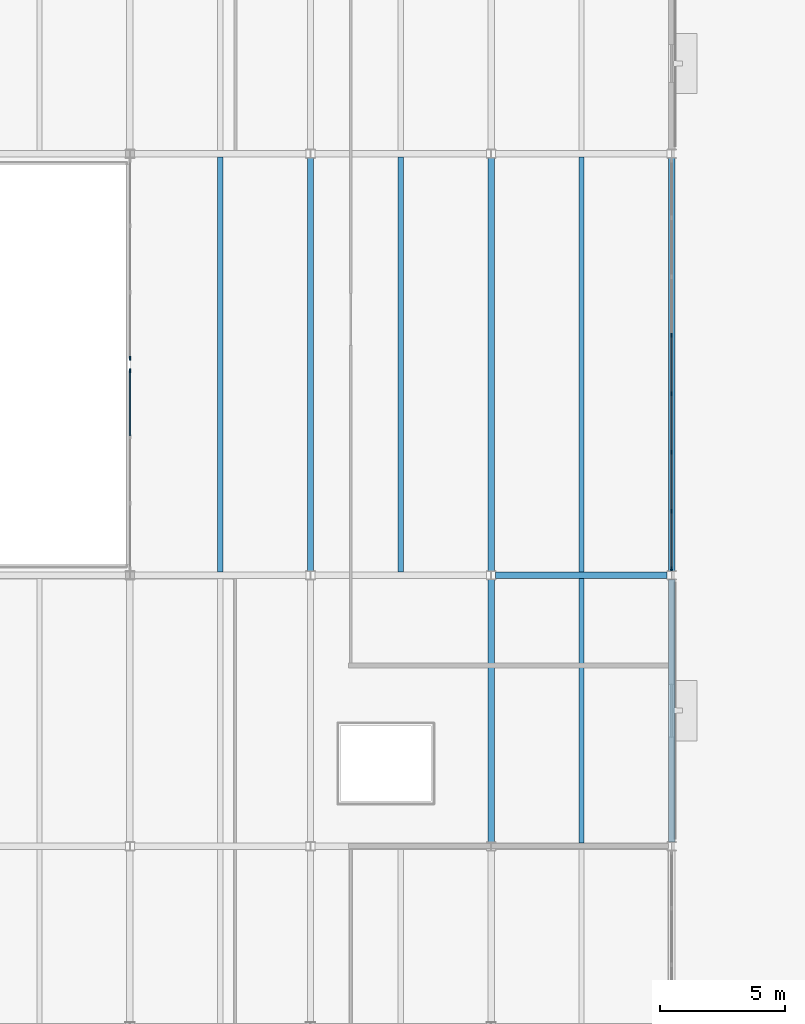
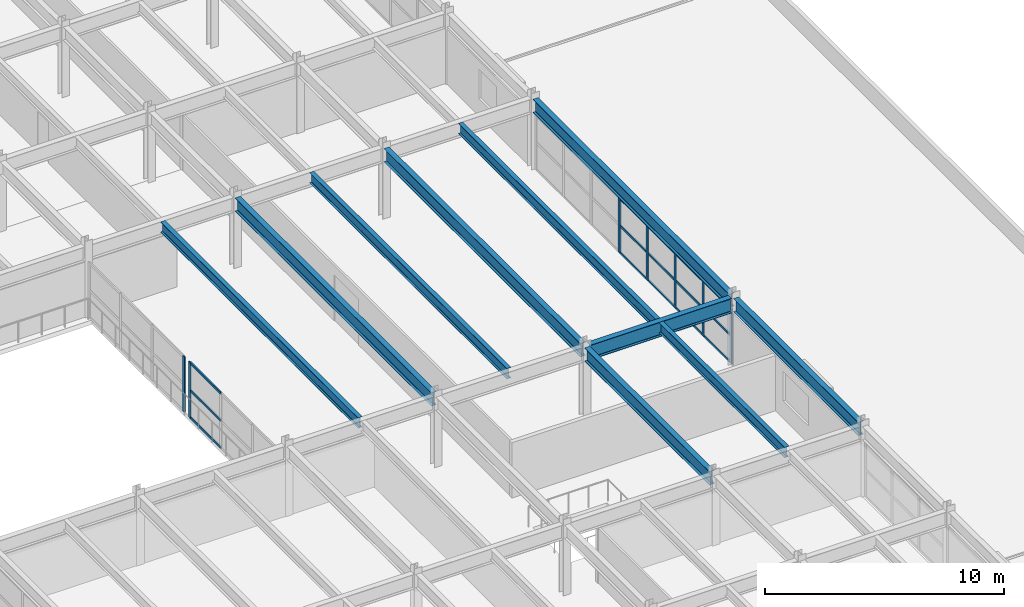
# One storey, part 28 of 80: 22 members, 10 beams, 3 elements without a shape of their own.
"""IFC4 building model written with IfcOpenShell, lengths in metres."""

from ifc_helpers import new_model, si_unit, direction, frame, origin, origin_2d, place, context, subcontext, project, spatial, rectangle, i_section, extrude, material, material_profile, profile_set, type_object, element, aggregate, save


model = new_model("IFC4")

# Units and contexts
model_context = context("Model", 3, precision=1e-05, world=origin(), true_north=direction((0.0, 1.0)))
body_context = subcontext(model_context, "Body", "Model", "MODEL_VIEW")
ifc_project = project(units=[si_unit("LENGTHUNIT", "METRE"), si_unit("AREAUNIT", "SQUARE_METRE"), si_unit("VOLUMEUNIT", "CUBIC_METRE"), si_unit("PLANEANGLEUNIT", "RADIAN"), si_unit("MASSUNIT", "GRAM", prefix="KILO")], contexts=[model_context])

# Site, building, storey
site_placement = place(None, origin())
site = spatial("IfcSite", under=ifc_project, at=site_placement, CompositionType="ELEMENT")
building_placement = place(site_placement, origin())
building = spatial("IfcBuilding", under=site, at=building_placement, Name="Vaelcorin Mobility Hub", CompositionType="ELEMENT")
storey_placement = place(building_placement, frame((0.0, 0.0, 9.300048828125)))
storey = spatial("IfcBuildingStorey", under=building, at=storey_placement, Name="L02", CompositionType="ELEMENT", Elevation=9.300048828125)

# Beams
ifc_material_1 = material(Name="Steel ASTM A992 Grade 50", Category="steel")
ifc_material_profile_1 = material_profile(ifc_material_1, i_section(OverallWidth=0.2099609375, OverallDepth=0.532958984375, WebThickness=0.01025390625, FlangeThickness=0.015625, FilletRadius=0.013916015625, at=origin_2d()), Name="W21X62")
ifc_profile_set_1 = profile_set([ifc_material_profile_1], Name="Steel ASTM A992 Grade 50")
beam_type_1 = type_object("IfcBeamType", Name="BM-W21X62", PredefinedType="JOIST", material=ifc_profile_set_1)
for number, where, z_axis, x_axis, name in (
    (1, (171.60009765625, 60.132080078125, 3.333984375), (0.0, 1.0, 0.0), (-1.0, 0.0, 0.0), "L02 Beam V5-L02-J-03-08-1"),
    (2, (178.800048828125, 60.132080078125, 3.333984375), (0.0, 1.0, 0.0), (-1.0, 0.0, 0.0), "L02 Beam V5-L02-J-04-08-1"),
):
    element("IfcBeam", number, at=place(storey_placement, frame(where, z_axis=z_axis, x_axis=x_axis)), inside=storey, type_object=beam_type_1, Name=name, PredefinedType="JOIST", context=body_context, shape_type="SweptSolid", body=[
        extrude(i_section(OverallWidth=0.2099609375, OverallDepth=0.532958984375, WebThickness=0.01025390625, FlangeThickness=0.015625, FilletRadius=0.013916015625, at=origin_2d()), origin(), (0.0, 0.0, 1.0), 16.535888671875),
    ])
beam_1_placement = place(storey_placement, frame((186.0, 49.33203125, 3.333984375), z_axis=(0.0, 1.0, 0.0), x_axis=(-1.0, 0.0, 0.0)))
element("IfcBeam", 3, at=beam_1_placement, inside=storey, type_object=beam_type_1, Name="L02 Beam V5-L02-J-05-07-1", PredefinedType="JOIST", context=body_context, shape_type="SweptSolid", body=[
    extrude(i_section(OverallWidth=0.2099609375, OverallDepth=0.532958984375, WebThickness=0.01025390625, FlangeThickness=0.015625, FilletRadius=0.013916015625, at=origin_2d()), origin(), (0.0, 0.0, 1.0), 10.535888671875),
])
beam_2_placement = place(storey_placement, frame((186.0, 60.132080078125, 3.333984375), z_axis=(0.0, 1.0, 0.0), x_axis=(-1.0, 0.0, 0.0)))
element("IfcBeam", 4, at=beam_2_placement, inside=storey, type_object=beam_type_1, Name="L02 Beam V5-L02-J-05-08-1", PredefinedType="JOIST", context=body_context, shape_type="SweptSolid", body=[
    extrude(i_section(OverallWidth=0.2099609375, OverallDepth=0.532958984375, WebThickness=0.01025390625, FlangeThickness=0.015625, FilletRadius=0.013916015625, at=origin_2d()), origin(), (0.0, 0.0, 1.0), 16.535888671875),
])
ifc_material_profile_2 = material_profile(ifc_material_1, i_section(OverallWidth=0.25390625, OverallDepth=0.68310546875, WebThickness=0.012451171875, FlangeThickness=0.018798828125, FilletRadius=0.01611328125, at=origin_2d()), Name="W27X94")
ifc_profile_set_2 = profile_set([ifc_material_profile_2], Name="Steel ASTM A992 Grade 50")
beam_type_2 = type_object("IfcBeamType", Name="BM-W27X94", PredefinedType="BEAM", material=ifc_profile_set_2)
beam_3_placement = place(storey_placement, frame((175.199951171875, 60.176025390625, 3.258056640625), z_axis=(0.0, 1.0, 0.0), x_axis=(-1.0, 0.0, 0.0)))
element("IfcBeam", 5, at=beam_3_placement, inside=storey, type_object=beam_type_2, Name="L02 Beam V5-L02-GY-04-08", PredefinedType="BEAM", context=body_context, shape_type="SweptSolid", body=[
    extrude(i_section(OverallWidth=0.25390625, OverallDepth=0.68310546875, WebThickness=0.012451171875, FlangeThickness=0.018798828125, FilletRadius=0.01611328125, at=origin_2d()), origin(), (0.0, 0.0, 1.0), 16.447998046875),
])
beam_4_placement = place(storey_placement, frame((182.39990234375, 49.3759765625, 3.258056640625), z_axis=(0.0, 1.0, 0.0), x_axis=(-1.0, 0.0, 0.0)))
element("IfcBeam", 6, at=beam_4_placement, inside=storey, type_object=beam_type_2, Name="L02 Beam V5-L02-GY-05-07", PredefinedType="BEAM", context=body_context, shape_type="SweptSolid", body=[
    extrude(i_section(OverallWidth=0.25390625, OverallDepth=0.68310546875, WebThickness=0.012451171875, FlangeThickness=0.018798828125, FilletRadius=0.01611328125, at=origin_2d()), origin(), (0.0, 0.0, 1.0), 10.447998046875),
])
beam_5_placement = place(storey_placement, frame((182.39990234375, 60.176025390625, 3.258056640625), z_axis=(0.0, 1.0, 0.0), x_axis=(-1.0, 0.0, 0.0)))
element("IfcBeam", 7, at=beam_5_placement, inside=storey, type_object=beam_type_2, Name="L02 Beam V5-L02-GY-05-08", PredefinedType="BEAM", context=body_context, shape_type="SweptSolid", body=[
    extrude(i_section(OverallWidth=0.25390625, OverallDepth=0.68310546875, WebThickness=0.012451171875, FlangeThickness=0.018798828125, FilletRadius=0.01611328125, at=origin_2d()), origin(), (0.0, 0.0, 1.0), 16.447998046875),
])
beam_6_placement = place(storey_placement, frame((189.60009765625, 49.3759765625, 3.258056640625), z_axis=(0.0, 1.0, 0.0), x_axis=(-1.0, 0.0, 0.0)))
element("IfcBeam", 8, at=beam_6_placement, inside=storey, type_object=beam_type_2, Name="L02 Beam V5-L02-GY-06-07", PredefinedType="BEAM", context=body_context, shape_type="SweptSolid", body=[
    extrude(i_section(OverallWidth=0.25390625, OverallDepth=0.68310546875, WebThickness=0.012451171875, FlangeThickness=0.018798828125, FilletRadius=0.01611328125, at=origin_2d()), origin(), (0.0, 0.0, 1.0), 10.447998046875),
])
beam_7_placement = place(storey_placement, frame((189.60009765625, 60.176025390625, 3.258056640625), z_axis=(0.0, 1.0, 0.0), x_axis=(-1.0, 0.0, 0.0)))
element("IfcBeam", 9, at=beam_7_placement, inside=storey, type_object=beam_type_2, Name="L02 Beam V5-L02-GY-06-08", PredefinedType="BEAM", context=body_context, shape_type="SweptSolid", body=[
    extrude(i_section(OverallWidth=0.25390625, OverallDepth=0.68310546875, WebThickness=0.012451171875, FlangeThickness=0.018798828125, FilletRadius=0.01611328125, at=origin_2d()), origin(), (0.0, 0.0, 1.0), 16.447998046875),
])
ifc_material_profile_3 = material_profile(ifc_material_1, i_section(OverallWidth=0.26708984375, OverallDepth=0.757080078125, WebThickness=0.013916015625, FlangeThickness=0.019287109375, FilletRadius=0.01708984375, at=origin_2d()), Name="W30X108")
ifc_profile_set_3 = profile_set([ifc_material_profile_3], Name="Steel ASTM A992 Grade 50")
beam_type_3 = type_object("IfcBeamType", Name="BM-W30X108", PredefinedType="BEAM", material=ifc_profile_set_3)
beam_8_placement = place(storey_placement, frame((182.58203125, 60.0, 3.221923828125), z_axis=(1.0, 0.0, 0.0), x_axis=(0.0, 1.0, 0.0)))
element("IfcBeam", 10, at=beam_8_placement, inside=storey, type_object=beam_type_3, Name="L02 Beam V5-L02-GX-08-05", PredefinedType="BEAM", context=body_context, shape_type="SweptSolid", body=[
    extrude(i_section(OverallWidth=0.26708984375, OverallDepth=0.757080078125, WebThickness=0.013916015625, FlangeThickness=0.019287109375, FilletRadius=0.01708984375, at=origin_2d()), origin(), (0.0, 0.0, 1.0), 6.8359375),
])

# Curtain wall, members
ifc_material_2 = material(Name="Anodised aluminium 6063-T6", Category="aluminium")
curtain_wall_type = type_object("IfcCurtainWallType", Name="CW-MOB-A", PredefinedType="NOTDEFINED", material=ifc_material_2)
curtain_wall_1_placement = place(storey_placement, origin())
curtain_wall_1 = element("IfcCurtainWall", 11, at=curtain_wall_1_placement, inside=storey, type_object=curtain_wall_type, Name="L02 Curtain Wall CW-V5-L02-E-08", PredefinedType="NOTDEFINED")
ifc_material_profile_4 = material_profile(ifc_material_2, rectangle(XDim=0.06005859375, YDim=0.159912109375, at=origin_2d()), Name="ALU-M60X160")
ifc_profile_set_4 = profile_set([ifc_material_profile_4], Name="Anodised aluminium 6063-T6")
member_type_1 = type_object("IfcMemberType", Name="CW-MULL-160", PredefinedType="MULLION", material=ifc_profile_set_4)
member_1_placement = place(storey_placement, frame((189.60009765625, 69.568603515625, 0.0), z_axis=(0.0, 0.0, 1.0), x_axis=(1.0, 0.0, 0.0)))
member_1 = element("IfcMember", 12, at=member_1_placement, type_object=member_type_1, Name="CW7 mullion 4", PredefinedType="MULLION", context=body_context, shape_type="SweptSolid", body=[
    extrude(rectangle(XDim=0.06005859375, YDim=0.159912109375, at=origin_2d()), origin(), (0.0, 0.0, 1.0), 2.827880859375),
])
member_2_placement = place(storey_placement, frame((189.60009765625, 67.2314453125, 0.0), z_axis=(0.0, 0.0, 1.0), x_axis=(1.0, 0.0, 0.0)))
member_2 = element("IfcMember", 13, at=member_2_placement, type_object=member_type_1, Name="CW7 mullion 5", PredefinedType="MULLION", context=body_context, shape_type="SweptSolid", body=[
    extrude(rectangle(XDim=0.06005859375, YDim=0.159912109375, at=origin_2d()), origin(), (0.0, 0.0, 1.0), 2.827880859375),
])
member_3_placement = place(storey_placement, frame((189.60009765625, 64.894287109375, 0.0), z_axis=(0.0, 0.0, 1.0), x_axis=(1.0, 0.0, 0.0)))
member_3 = element("IfcMember", 14, at=member_3_placement, type_object=member_type_1, Name="CW7 mullion 6", PredefinedType="MULLION", context=body_context, shape_type="SweptSolid", body=[
    extrude(rectangle(XDim=0.06005859375, YDim=0.159912109375, at=origin_2d()), origin(), (0.0, 0.0, 1.0), 2.827880859375),
])
member_4_placement = place(storey_placement, frame((189.60009765625, 62.55712890625, 0.0), z_axis=(0.0, 0.0, 1.0), x_axis=(1.0, 0.0, 0.0)))
member_4 = element("IfcMember", 15, at=member_4_placement, type_object=member_type_1, Name="CW7 mullion 7", PredefinedType="MULLION", context=body_context, shape_type="SweptSolid", body=[
    extrude(rectangle(XDim=0.06005859375, YDim=0.159912109375, at=origin_2d()), origin(), (0.0, 0.0, 1.0), 2.827880859375),
])
member_5_placement = place(storey_placement, frame((189.60009765625, 60.25, 0.0), z_axis=(0.0, 0.0, 1.0), x_axis=(1.0, 0.0, 0.0)))
member_5 = element("IfcMember", 16, at=member_5_placement, type_object=member_type_1, Name="CW7 mullion 8", PredefinedType="MULLION", context=body_context, shape_type="SweptSolid", body=[
    extrude(rectangle(XDim=0.06005859375, YDim=0.159912109375, at=origin_2d()), origin(), (0.0, 0.0, 1.0), 2.827880859375),
])

# Curtain wall, member
curtain_wall_2_placement = place(storey_placement, origin())
curtain_wall_2 = element("IfcCurtainWall", 17, at=curtain_wall_2_placement, inside=storey, type_object=curtain_wall_type, Name="L02 Curtain Wall CW-V5-L02-NOTCH-1", PredefinedType="NOTDEFINED")
member_6_placement = place(storey_placement, frame((168.0, 68.14990234375, 0.0), z_axis=(0.0, 0.0, 1.0), x_axis=(-1.0, 0.0, 0.0)))
member_6 = element("IfcMember", 18, at=member_6_placement, type_object=member_type_1, Name="CW7 mullion 4", PredefinedType="MULLION", context=body_context, shape_type="SweptSolid", body=[
    extrude(rectangle(XDim=0.06005859375, YDim=0.159912109375, at=origin_2d()), origin(), (0.0, 0.0, 1.0), 2.827880859375),
])

curtain_wall_3_placement = place(storey_placement, origin())
curtain_wall_3 = element("IfcCurtainWall", 19, at=curtain_wall_3_placement, inside=storey, type_object=curtain_wall_type, Name="L02 Curtain Wall CW-V5-L02-NOTCH-2", PredefinedType="NOTDEFINED")
member_7_placement = place(storey_placement, frame((168.0, 68.64990234375, 0.0), z_axis=(0.0, 0.0, 1.0), x_axis=(-1.0, 0.0, 0.0)))
member_7 = element("IfcMember", 20, at=member_7_placement, type_object=member_type_1, Name="CW7 mullion 1", PredefinedType="MULLION", context=body_context, shape_type="SweptSolid", body=[
    extrude(rectangle(XDim=0.06005859375, YDim=0.159912109375, at=origin_2d()), origin(), (0.0, 0.0, 1.0), 2.827880859375),
])
aggregate(curtain_wall_3, [member_7])

# Member
ifc_material_profile_5 = material_profile(ifc_material_2, rectangle(XDim=0.06005859375, YDim=0.1201171875, at=origin_2d()), Name="ALU-T60X120")
ifc_profile_set_5 = profile_set([ifc_material_profile_5], Name="Anodised aluminium 6063-T6")
member_type_2 = type_object("IfcMemberType", Name="CW-TRAN-140", PredefinedType="USERDEFINED", material=ifc_profile_set_5)
member_8_placement = place(storey_placement, frame((189.60009765625, 69.53857421875, 0.030029296875), z_axis=(0.0, -1.0, 0.0), x_axis=(1.0, 0.0, 0.0)))
member_8 = element("IfcMember", 21, at=member_8_placement, type_object=member_type_2, Name="CW7 transom 4.1", ObjectType="TRANSOM", PredefinedType="USERDEFINED", context=body_context, shape_type="SweptSolid", body=[
    extrude(rectangle(XDim=0.06005859375, YDim=0.1201171875, at=origin_2d()), origin(), (0.0, 0.0, 1.0), 2.277099609375),
])

member_9_placement = place(storey_placement, frame((189.60009765625, 69.53857421875, 1.4140625), z_axis=(0.0, -1.0, 0.0), x_axis=(1.0, 0.0, 0.0)))
member_9 = element("IfcMember", 22, at=member_9_placement, type_object=member_type_2, Name="CW7 transom 4.2", ObjectType="TRANSOM", PredefinedType="USERDEFINED", context=body_context, shape_type="SweptSolid", body=[
    extrude(rectangle(XDim=0.06005859375, YDim=0.1201171875, at=origin_2d()), origin(), (0.0, 0.0, 1.0), 2.277099609375),
])

member_10_placement = place(storey_placement, frame((189.60009765625, 69.53857421875, 2.7978515625), z_axis=(0.0, -1.0, 0.0), x_axis=(1.0, 0.0, 0.0)))
member_10 = element("IfcMember", 23, at=member_10_placement, type_object=member_type_2, Name="CW7 transom 4.3", ObjectType="TRANSOM", PredefinedType="USERDEFINED", context=body_context, shape_type="SweptSolid", body=[
    extrude(rectangle(XDim=0.06005859375, YDim=0.1201171875, at=origin_2d()), origin(), (0.0, 0.0, 1.0), 2.277099609375),
])

member_11_placement = place(storey_placement, frame((189.60009765625, 67.201416015625, 0.030029296875), z_axis=(0.0, -1.0, 0.0), x_axis=(1.0, 0.0, 0.0)))
member_11 = element("IfcMember", 24, at=member_11_placement, type_object=member_type_2, Name="CW7 transom 5.1", ObjectType="TRANSOM", PredefinedType="USERDEFINED", context=body_context, shape_type="SweptSolid", body=[
    extrude(rectangle(XDim=0.06005859375, YDim=0.1201171875, at=origin_2d()), origin(), (0.0, 0.0, 1.0), 2.277099609375),
])

member_12_placement = place(storey_placement, frame((189.60009765625, 67.201416015625, 1.4140625), z_axis=(0.0, -1.0, 0.0), x_axis=(1.0, 0.0, 0.0)))
member_12 = element("IfcMember", 25, at=member_12_placement, type_object=member_type_2, Name="CW7 transom 5.2", ObjectType="TRANSOM", PredefinedType="USERDEFINED", context=body_context, shape_type="SweptSolid", body=[
    extrude(rectangle(XDim=0.06005859375, YDim=0.1201171875, at=origin_2d()), origin(), (0.0, 0.0, 1.0), 2.277099609375),
])

member_13_placement = place(storey_placement, frame((189.60009765625, 67.201416015625, 2.7978515625), z_axis=(0.0, -1.0, 0.0), x_axis=(1.0, 0.0, 0.0)))
member_13 = element("IfcMember", 26, at=member_13_placement, type_object=member_type_2, Name="CW7 transom 5.3", ObjectType="TRANSOM", PredefinedType="USERDEFINED", context=body_context, shape_type="SweptSolid", body=[
    extrude(rectangle(XDim=0.06005859375, YDim=0.1201171875, at=origin_2d()), origin(), (0.0, 0.0, 1.0), 2.277099609375),
])

member_14_placement = place(storey_placement, frame((189.60009765625, 64.8642578125, 0.030029296875), z_axis=(0.0, -1.0, 0.0), x_axis=(1.0, 0.0, 0.0)))
member_14 = element("IfcMember", 27, at=member_14_placement, type_object=member_type_2, Name="CW7 transom 6.1", ObjectType="TRANSOM", PredefinedType="USERDEFINED", context=body_context, shape_type="SweptSolid", body=[
    extrude(rectangle(XDim=0.06005859375, YDim=0.1201171875, at=origin_2d()), origin(), (0.0, 0.0, 1.0), 2.277099609375),
])

member_15_placement = place(storey_placement, frame((189.60009765625, 64.8642578125, 1.4140625), z_axis=(0.0, -1.0, 0.0), x_axis=(1.0, 0.0, 0.0)))
member_15 = element("IfcMember", 28, at=member_15_placement, type_object=member_type_2, Name="CW7 transom 6.2", ObjectType="TRANSOM", PredefinedType="USERDEFINED", context=body_context, shape_type="SweptSolid", body=[
    extrude(rectangle(XDim=0.06005859375, YDim=0.1201171875, at=origin_2d()), origin(), (0.0, 0.0, 1.0), 2.277099609375),
])

member_16_placement = place(storey_placement, frame((189.60009765625, 64.8642578125, 2.7978515625), z_axis=(0.0, -1.0, 0.0), x_axis=(1.0, 0.0, 0.0)))
member_16 = element("IfcMember", 29, at=member_16_placement, type_object=member_type_2, Name="CW7 transom 6.3", ObjectType="TRANSOM", PredefinedType="USERDEFINED", context=body_context, shape_type="SweptSolid", body=[
    extrude(rectangle(XDim=0.06005859375, YDim=0.1201171875, at=origin_2d()), origin(), (0.0, 0.0, 1.0), 2.277099609375),
])

member_17_placement = place(storey_placement, frame((189.60009765625, 62.527099609375, 0.030029296875), z_axis=(0.0, -1.0, 0.0), x_axis=(1.0, 0.0, 0.0)))
member_17 = element("IfcMember", 30, at=member_17_placement, type_object=member_type_2, Name="CW7 transom 7.1", ObjectType="TRANSOM", PredefinedType="USERDEFINED", context=body_context, shape_type="SweptSolid", body=[
    extrude(rectangle(XDim=0.06005859375, YDim=0.1201171875, at=origin_2d()), origin(), (0.0, 0.0, 1.0), 2.2470703125),
])

member_18_placement = place(storey_placement, frame((189.60009765625, 62.527099609375, 1.4140625), z_axis=(0.0, -1.0, 0.0), x_axis=(1.0, 0.0, 0.0)))
member_18 = element("IfcMember", 31, at=member_18_placement, type_object=member_type_2, Name="CW7 transom 7.2", ObjectType="TRANSOM", PredefinedType="USERDEFINED", context=body_context, shape_type="SweptSolid", body=[
    extrude(rectangle(XDim=0.06005859375, YDim=0.1201171875, at=origin_2d()), origin(), (0.0, 0.0, 1.0), 2.2470703125),
])

member_19_placement = place(storey_placement, frame((189.60009765625, 62.527099609375, 2.7978515625), z_axis=(0.0, -1.0, 0.0), x_axis=(1.0, 0.0, 0.0)))
member_19 = element("IfcMember", 32, at=member_19_placement, type_object=member_type_2, Name="CW7 transom 7.3", ObjectType="TRANSOM", PredefinedType="USERDEFINED", context=body_context, shape_type="SweptSolid", body=[
    extrude(rectangle(XDim=0.06005859375, YDim=0.1201171875, at=origin_2d()), origin(), (0.0, 0.0, 1.0), 2.2470703125),
])

aggregate(curtain_wall_1, [member_1, member_2, member_3, member_4, member_5, member_8, member_9, member_10, member_11, member_12, member_13, member_14, member_15, member_16, member_17, member_18, member_19])

member_20_placement = place(storey_placement, frame((168.0, 65.556640625, 0.030029296875), z_axis=(0.0, 1.0, 0.0), x_axis=(-1.0, 0.0, 0.0)))
member_20 = element("IfcMember", 33, at=member_20_placement, type_object=member_type_2, Name="CW7 transom 3.1", ObjectType="TRANSOM", PredefinedType="USERDEFINED", context=body_context, shape_type="SweptSolid", body=[
    extrude(rectangle(XDim=0.06005859375, YDim=0.1201171875, at=origin_2d()), origin(), (0.0, 0.0, 1.0), 2.5634765625),
])

member_21_placement = place(storey_placement, frame((168.0, 65.556640625, 1.4140625), z_axis=(0.0, 1.0, 0.0), x_axis=(-1.0, 0.0, 0.0)))
member_21 = element("IfcMember", 34, at=member_21_placement, type_object=member_type_2, Name="CW7 transom 3.2", ObjectType="TRANSOM", PredefinedType="USERDEFINED", context=body_context, shape_type="SweptSolid", body=[
    extrude(rectangle(XDim=0.06005859375, YDim=0.1201171875, at=origin_2d()), origin(), (0.0, 0.0, 1.0), 2.5634765625),
])

member_22_placement = place(storey_placement, frame((168.0, 65.556640625, 2.7978515625), z_axis=(0.0, 1.0, 0.0), x_axis=(-1.0, 0.0, 0.0)))
member_22 = element("IfcMember", 35, at=member_22_placement, type_object=member_type_2, Name="CW7 transom 3.3", ObjectType="TRANSOM", PredefinedType="USERDEFINED", context=body_context, shape_type="SweptSolid", body=[
    extrude(rectangle(XDim=0.06005859375, YDim=0.1201171875, at=origin_2d()), origin(), (0.0, 0.0, 1.0), 2.5634765625),
])

aggregate(curtain_wall_2, [member_6, member_20, member_21, member_22])

save(model, "model.ifc")
